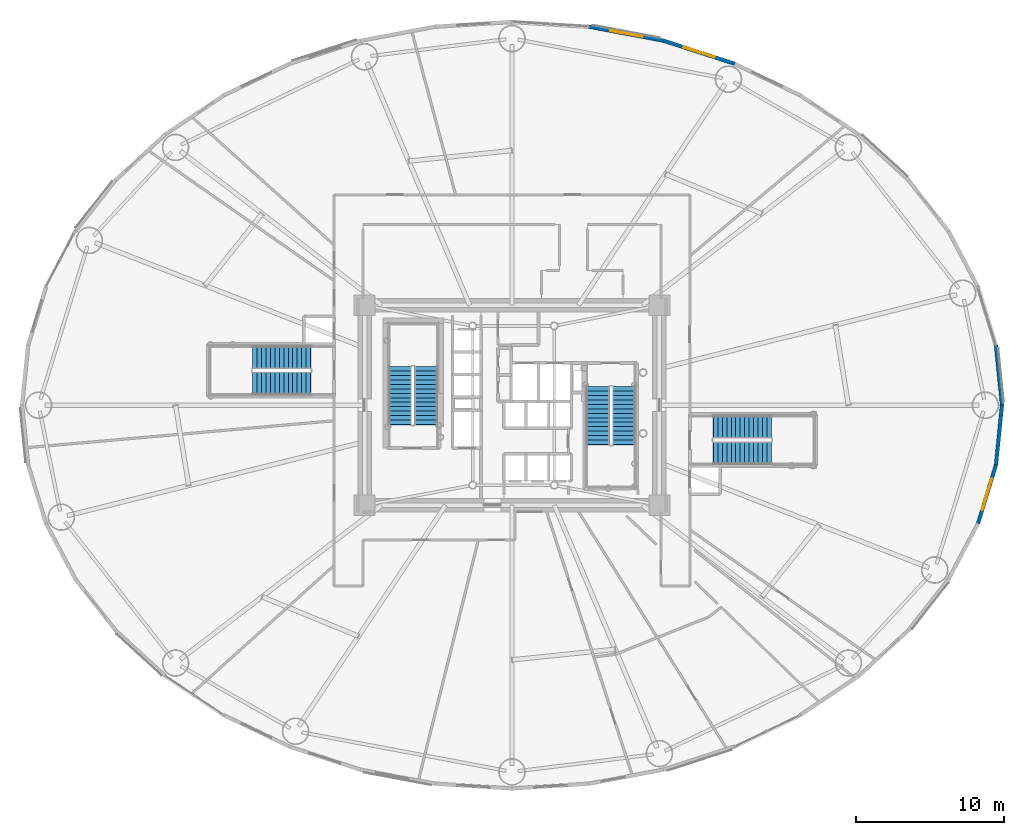
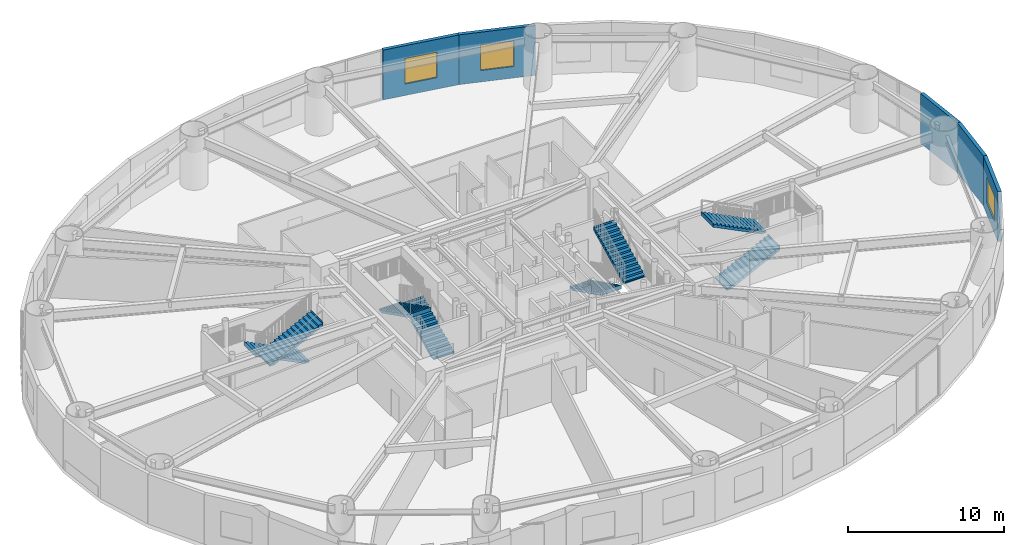
# One storey, part 20 of 31: 8 stair flights, 5 walls, 3 windows, 3 openings, 4 elements without a shape of their own.
"""IFC4 building model written with IfcOpenShell, lengths in metres."""

from ifc_helpers import new_model, si_unit, direction, frame, frame_2d, origin, origin_2d, place, context, subcontext, project, spatial, polyline, rectangle, outline, extrude, source, transform, mapped, material, layer, layer_set, type_object, element, fill, aggregate, save


model = new_model("IFC4")

# Units and contexts
model_context = context("Model", 3, precision=1e-05, world=origin(), true_north=direction((0.0, 1.0)))
body_context = subcontext(model_context, "Body", "Model", "MODEL_VIEW")
ifc_project = project(units=[si_unit("LENGTHUNIT", "METRE"), si_unit("AREAUNIT", "SQUARE_METRE"), si_unit("VOLUMEUNIT", "CUBIC_METRE"), si_unit("PLANEANGLEUNIT", "RADIAN"), si_unit("MASSUNIT", "GRAM", prefix="KILO")], contexts=[model_context])

# Site, building, storey
site_placement = place(None, origin())
site = spatial("IfcSite", under=ifc_project, at=site_placement, CompositionType="ELEMENT")
building_placement = place(site_placement, origin())
building = spatial("IfcBuilding", under=site, at=building_placement, Name="Linh Dai School and Residence Tower", CompositionType="ELEMENT")
storey_placement = place(building_placement, frame((0.0, 0.0, 6.0)))
storey = spatial("IfcBuildingStorey", under=building, at=storey_placement, Name="L01", CompositionType="ELEMENT", Elevation=6.0)

# Wall
ifc_material_1 = material(Name="Precast Concrete B45 (C35/45)", Category="concrete")
ifc_layer = layer(ifc_material_1, 0.25)
ifc_layer_set = layer_set([ifc_layer], Name="Precast Concrete B45 (C35/45)")
wall_type = type_object("IfcWallType", Name="EW-TC-250", PredefinedType="SOLIDWALL", material=ifc_layer_set)
wall_1_placement = place(storey_placement, frame((68.668701171875, 31.04248046875, 0.0), z_axis=(0.0, 0.0, 1.0), x_axis=(0.099991575324, -0.994988283782, 0.0)))
element("IfcWall", 1, at=wall_1_placement, inside=storey, type_object=wall_type, Name="L01 Terracotta Exterior Wall 01", PredefinedType="SOLIDWALL", context=body_context, shape_type="SweptSolid", body=[
    extrude(rectangle(XDim=4.062744140625, YDim=0.25, at=frame_2d((2.03125, 0.0))), origin(), (0.0, 0.0, 1.0), 3.89990234375),
])

# Wall, opening, window
wall_2_placement = place(storey_placement, frame((46.228515625, 51.6064453125, 0.0), z_axis=(0.0, 0.0, 1.0), x_axis=(0.951198629726, -0.308579271513, 0.0)))
wall_2 = element("IfcWall", 2, at=wall_2_placement, inside=storey, type_object=wall_type, Name="L01 Terracotta Exterior Wall 08", PredefinedType="SOLIDWALL", context=body_context, shape_type="SweptSolid", body=[
    extrude(rectangle(XDim=5.043701171875, YDim=0.25, at=frame_2d((2.52197265625, 0.0))), origin(), (0.0, 0.0, 1.0), 3.89990234375),
])
opening_1_placement = place(wall_2_placement, frame((1.421630859375, 0.0, 0.89990234375)))
opening_1 = element("IfcOpeningElement", 3, at=opening_1_placement, cuts=wall_2, Name="Opening W4", PredefinedType="OPENING", context=body_context, shape_type="SweptSolid", body=[
    extrude(rectangle(XDim=2.199951171875, YDim=2.0, at=origin_2d()), frame((1.10009765625, 0.135009765625, 1.0), z_axis=(0.0, -1.0, 0.0), x_axis=(1.0, 0.0, 0.0)), (0.0, 0.0, 1.0), 0.27001953125),
])
ifc_material_2 = material(Name="Acoustic Laminated Low-E Glazing", Category="glass")
window_type = type_object("IfcWindowType", Name="WN-SCH-2200x2000", PartitioningType="TRIPLE_PANEL_VERTICAL", PredefinedType="WINDOW", material=ifc_material_2)
shared_shape_1 = source(origin(), body_context, "Body", "SweptSolid", [
    extrude(rectangle(XDim=2.199951171875, YDim=2.0, at=origin_2d()), frame((1.10009765625, 0.030029296875, 1.0), z_axis=(0.0, -1.0, 0.0), x_axis=(1.0, 0.0, 0.0)), (0.0, 0.0, 1.0), 0.06005859375),
])
window_1_placement = place(opening_1_placement, origin())
window_1 = element("IfcWindow", 4, at=window_1_placement, inside=storey, type_object=window_type, Name="L01 Exterior Window 08.1", OverallHeight=2.0, OverallWidth=2.199951171875, PartitioningType="TRIPLE_PANEL_VERTICAL", PredefinedType="WINDOW", context=body_context, shape_type="MappedRepresentation", body=[
    mapped(shared_shape_1, transform((0.0, 0.0, 0.0), x_axis=(1.0, 0.0, 0.0), y_axis=(0.0, 1.0, 0.0), z_axis=(0.0, 0.0, 1.0), scale=1.0)),
])
fill(opening_1, window_1)

wall_3_placement = place(storey_placement, frame((41.17822265625, 52.555908203125, 0.0), z_axis=(0.0, 0.0, 1.0), x_axis=(0.98278278947, -0.184764684726, 0.0)))
wall_3 = element("IfcWall", 5, at=wall_3_placement, inside=storey, type_object=wall_type, Name="L01 Terracotta Exterior Wall 09", PredefinedType="SOLIDWALL", context=body_context, shape_type="SweptSolid", body=[
    extrude(rectangle(XDim=5.138671875, YDim=0.25, at=frame_2d((2.5693359375, 0.0))), origin(), (0.0, 0.0, 1.0), 3.89990234375),
])
opening_2_placement = place(wall_3_placement, frame((1.469482421875, 0.0, 0.89990234375)))
opening_2 = element("IfcOpeningElement", 6, at=opening_2_placement, cuts=wall_3, Name="Opening W4", PredefinedType="OPENING", context=body_context, shape_type="SweptSolid", body=[
    extrude(rectangle(XDim=2.199951171875, YDim=2.0, at=origin_2d()), frame((1.10009765625, 0.135009765625, 1.0), z_axis=(0.0, -1.0, 0.0), x_axis=(1.0, 0.0, 0.0)), (0.0, 0.0, 1.0), 0.27001953125),
])
window_2_placement = place(opening_2_placement, origin())
window_2 = element("IfcWindow", 7, at=window_2_placement, inside=storey, type_object=window_type, Name="L01 Exterior Window 09.1", OverallHeight=2.0, OverallWidth=2.199951171875, PartitioningType="TRIPLE_PANEL_VERTICAL", PredefinedType="WINDOW", context=body_context, shape_type="MappedRepresentation", body=[
    mapped(shared_shape_1, transform((0.0, 0.0, 0.0), x_axis=(1.0, 0.0, 0.0), y_axis=(0.0, 1.0, 0.0), z_axis=(0.0, 0.0, 1.0), scale=1.0)),
])
fill(opening_2, window_2)

wall_4_placement = place(storey_placement, frame((68.668701171875, 22.95751953125, 0.0), z_axis=(0.0, 0.0, 1.0), x_axis=(-0.293070945898, -0.956090696885, 0.0)))
wall_4 = element("IfcWall", 8, at=wall_4_placement, inside=storey, type_object=wall_type, Name="L01 Terracotta Exterior Wall 39", PredefinedType="SOLIDWALL", context=body_context, shape_type="SweptSolid", body=[
    extrude(rectangle(XDim=4.125244140625, YDim=0.25, at=frame_2d((2.0625, 0.0))), origin(), (0.0, 0.0, 1.0), 3.89990234375),
])
opening_3_placement = place(wall_4_placement, frame((0.962646484375, 0.0, 0.89990234375)))
opening_3 = element("IfcOpeningElement", 9, at=opening_3_placement, cuts=wall_4, Name="Opening W4", PredefinedType="OPENING", context=body_context, shape_type="SweptSolid", body=[
    extrude(rectangle(XDim=2.199951171875, YDim=2.0, at=origin_2d()), frame((1.10009765625, 0.135009765625, 1.0), z_axis=(0.0, -1.0, 0.0), x_axis=(1.0, 0.0, 0.0)), (0.0, 0.0, 1.0), 0.27001953125),
])
window_3_placement = place(opening_3_placement, origin())
window_3 = element("IfcWindow", 10, at=window_3_placement, inside=storey, type_object=window_type, Name="L01 Exterior Window 39.1", OverallHeight=2.0, OverallWidth=2.199951171875, PartitioningType="TRIPLE_PANEL_VERTICAL", PredefinedType="WINDOW", context=body_context, shape_type="MappedRepresentation", body=[
    mapped(shared_shape_1, transform((0.0, 0.0, 0.0), x_axis=(1.0, 0.0, 0.0), y_axis=(0.0, 1.0, 0.0), z_axis=(0.0, 0.0, 1.0), scale=1.0)),
])
fill(opening_3, window_3)

# Wall
wall_5_placement = place(storey_placement, frame((69.074951171875, 27.0, 0.0), z_axis=(0.0, 0.0, 1.0), x_axis=(-0.099991575324, -0.994988283782, 0.0)))
element("IfcWall", 11, at=wall_5_placement, inside=storey, type_object=wall_type, Name="L01 Terracotta Exterior Wall 40", PredefinedType="SOLIDWALL", context=body_context, shape_type="SweptSolid", body=[
    extrude(rectangle(XDim=4.062744140625, YDim=0.25, at=frame_2d((2.03125, 0.0))), origin(), (0.0, 0.0, 1.0), 3.89990234375),
])

# Stair, stair flights
ifc_material_3 = material(Name="Concrete B45 (C35/45)", Category="concrete")
stair_type = type_object("IfcStairType", Name="ST-DOG-1550-R1500", PredefinedType="HALF_TURN_STAIR", material=ifc_material_3)
stair_1_placement = place(storey_placement, origin())
stair_1 = element("IfcStair", 12, at=stair_1_placement, inside=storey, type_object=stair_type, Name="L01 Core Smokeproof Exit Stair ST1", PredefinedType="HALF_TURN_STAIR")
stair_flight_type = type_object("IfcStairFlightType", Name="STF-STR-1550-R1500", PredefinedType="STRAIGHT", material=ifc_material_3)
shared_shape_2 = source(origin(), body_context, "Body", "SweptSolid", [
    extrude(outline(polyline([(-0.02490234375, 0.0), (-0.02490234375, 0.06005859375), (0.0, 0.06005859375), (0.0, 0.14990234375), (0.300048828125, 0.14990234375), (0.300048828125, 0.300048828125), (0.60009765625, 0.300048828125), (0.60009765625, 0.449951171875), (0.89990234375, 0.449951171875), (0.89990234375, 0.60009765625), (1.199951171875, 0.60009765625), (1.199951171875, 0.75), (1.5, 0.75), (1.5, 0.89990234375), (1.800048828125, 0.89990234375), (1.800048828125, 1.050048828125), (2.10009765625, 1.050048828125), (2.10009765625, 1.199951171875), (2.39990234375, 1.199951171875), (2.39990234375, 1.35009765625), (2.699951171875, 1.35009765625), (2.699951171875, 1.5), (3.0, 1.5), (3.0, 1.64990234375), (3.300048828125, 1.64990234375), (3.300048828125, 1.800048828125), (3.60009765625, 1.800048828125), (3.60009765625, 1.949951171875), (3.89990234375, 1.949951171875), (3.89990234375, 2.10009765625), (3.925048828125, 2.10009765625), (3.925048828125, 1.782470703125), (3.89990234375, 1.782470703125), (0.335205078125, 0.0), (-0.02490234375, 0.0)])), frame((0.0, 0.77490234375, 0.0), z_axis=(0.0, -1.0, 0.0), x_axis=(1.0, 0.0, 0.0)), (0.0, 0.0, 1.0), 1.550048828125),
])
stair_flight_1_placement = place(storey_placement, frame((30.205078125, 25.699951171875, 0.0), z_axis=(0.0, 0.0, 1.0), x_axis=(0.0, 1.0, 0.0)))
stair_flight_1 = element("IfcStairFlight", 13, at=stair_flight_1_placement, type_object=stair_flight_type, Name="ST1 flight 1", NumberOfRisers=14, NumberOfTreads=13, PredefinedType="STRAIGHT", RiserHeight=0.15, TreadLength=0.3, context=body_context, shape_type="MappedRepresentation", body=[
    mapped(shared_shape_2, transform((0.0, 0.0, 0.0), x_axis=(1.0, 0.0, 0.0), y_axis=(0.0, 1.0, 0.0), z_axis=(0.0, 0.0, 1.0), scale=1.0)),
])
stair_flight_2_placement = place(storey_placement, frame((28.455078125, 29.60009765625, 2.10009765625), z_axis=(0.0, 0.0, 1.0), x_axis=(0.0, -1.0, 0.0)))
stair_flight_2 = element("IfcStairFlight", 14, at=stair_flight_2_placement, type_object=stair_flight_type, Name="ST1 flight 2", NumberOfRisers=14, NumberOfTreads=13, PredefinedType="STRAIGHT", RiserHeight=0.15, TreadLength=0.3, context=body_context, shape_type="MappedRepresentation", body=[
    mapped(shared_shape_2, transform((0.0, 0.0, 0.0), x_axis=(1.0, 0.0, 0.0), y_axis=(0.0, 1.0, 0.0), z_axis=(0.0, 0.0, 1.0), scale=1.0)),
])
aggregate(stair_1, [stair_flight_1, stair_flight_2])

stair_2_placement = place(storey_placement, origin())
stair_2 = element("IfcStair", 15, at=stair_2_placement, inside=storey, type_object=stair_type, Name="L01 Core Smokeproof Exit Stair ST2", PredefinedType="HALF_TURN_STAIR")
stair_flight_3_placement = place(storey_placement, frame((41.794921875, 28.25, 0.0), z_axis=(0.0, 0.0, 1.0), x_axis=(0.0, -1.0, 0.0)))
stair_flight_3 = element("IfcStairFlight", 16, at=stair_flight_3_placement, type_object=stair_flight_type, Name="ST2 flight 1", NumberOfRisers=14, NumberOfTreads=13, PredefinedType="STRAIGHT", RiserHeight=0.15, TreadLength=0.3, context=body_context, shape_type="MappedRepresentation", body=[
    mapped(shared_shape_2, transform((0.0, 0.0, 0.0), x_axis=(1.0, 0.0, 0.0), y_axis=(0.0, 1.0, 0.0), z_axis=(0.0, 0.0, 1.0), scale=1.0)),
])
stair_flight_4_placement = place(storey_placement, frame((43.544921875, 24.35009765625, 2.10009765625), z_axis=(0.0, 0.0, 1.0), x_axis=(0.0, 1.0, 0.0)))
stair_flight_4 = element("IfcStairFlight", 17, at=stair_flight_4_placement, type_object=stair_flight_type, Name="ST2 flight 2", NumberOfRisers=14, NumberOfTreads=13, PredefinedType="STRAIGHT", RiserHeight=0.15, TreadLength=0.3, context=body_context, shape_type="MappedRepresentation", body=[
    mapped(shared_shape_2, transform((0.0, 0.0, 0.0), x_axis=(1.0, 0.0, 0.0), y_axis=(0.0, 1.0, 0.0), z_axis=(0.0, 0.0, 1.0), scale=1.0)),
])
aggregate(stair_2, [stair_flight_3, stair_flight_4])

stair_3_placement = place(storey_placement, origin())
stair_3 = element("IfcStair", 18, at=stair_3_placement, inside=storey, type_object=stair_type, Name="L01 School Exit Stair STS1", PredefinedType="HALF_TURN_STAIR")
stair_flight_5_placement = place(storey_placement, frame((22.39990234375, 30.22509765625, 0.0), z_axis=(0.0, 0.0, 1.0), x_axis=(-1.0, 0.0, 0.0)))
stair_flight_5 = element("IfcStairFlight", 19, at=stair_flight_5_placement, type_object=stair_flight_type, Name="STS1 flight 1", NumberOfRisers=14, NumberOfTreads=13, PredefinedType="STRAIGHT", RiserHeight=0.15, TreadLength=0.3, context=body_context, shape_type="MappedRepresentation", body=[
    mapped(shared_shape_2, transform((0.0, 0.0, 0.0), x_axis=(1.0, 0.0, 0.0), y_axis=(0.0, 1.0, 0.0), z_axis=(0.0, 0.0, 1.0), scale=1.0)),
])
stair_flight_6_placement = place(storey_placement, frame((18.5, 28.47509765625, 2.10009765625), z_axis=(0.0, 0.0, 1.0), x_axis=(1.0, 0.0, 0.0)))
stair_flight_6 = element("IfcStairFlight", 20, at=stair_flight_6_placement, type_object=stair_flight_type, Name="STS1 flight 2", NumberOfRisers=14, NumberOfTreads=13, PredefinedType="STRAIGHT", RiserHeight=0.15, TreadLength=0.3, context=body_context, shape_type="MappedRepresentation", body=[
    mapped(shared_shape_2, transform((0.0, 0.0, 0.0), x_axis=(1.0, 0.0, 0.0), y_axis=(0.0, 1.0, 0.0), z_axis=(0.0, 0.0, 1.0), scale=1.0)),
])
aggregate(stair_3, [stair_flight_5, stair_flight_6])

stair_4_placement = place(storey_placement, origin())
stair_4 = element("IfcStair", 21, at=stair_4_placement, inside=storey, type_object=stair_type, Name="L01 School Exit Stair STS2", PredefinedType="HALF_TURN_STAIR")
stair_flight_7_placement = place(storey_placement, frame((49.60009765625, 23.77490234375, 0.0), z_axis=(0.0, 0.0, 1.0), x_axis=(1.0, 0.0, 0.0)))
stair_flight_7 = element("IfcStairFlight", 22, at=stair_flight_7_placement, type_object=stair_flight_type, Name="STS2 flight 1", NumberOfRisers=14, NumberOfTreads=13, PredefinedType="STRAIGHT", RiserHeight=0.15, TreadLength=0.3, context=body_context, shape_type="MappedRepresentation", body=[
    mapped(shared_shape_2, transform((0.0, 0.0, 0.0), x_axis=(1.0, 0.0, 0.0), y_axis=(0.0, 1.0, 0.0), z_axis=(0.0, 0.0, 1.0), scale=1.0)),
])
stair_flight_8_placement = place(storey_placement, frame((53.5, 25.52490234375, 2.10009765625), z_axis=(0.0, 0.0, 1.0), x_axis=(-1.0, 0.0, 0.0)))
stair_flight_8 = element("IfcStairFlight", 23, at=stair_flight_8_placement, type_object=stair_flight_type, Name="STS2 flight 2", NumberOfRisers=14, NumberOfTreads=13, PredefinedType="STRAIGHT", RiserHeight=0.15, TreadLength=0.3, context=body_context, shape_type="MappedRepresentation", body=[
    mapped(shared_shape_2, transform((0.0, 0.0, 0.0), x_axis=(1.0, 0.0, 0.0), y_axis=(0.0, 1.0, 0.0), z_axis=(0.0, 0.0, 1.0), scale=1.0)),
])
aggregate(stair_4, [stair_flight_7, stair_flight_8])

save(model, "model.ifc")
